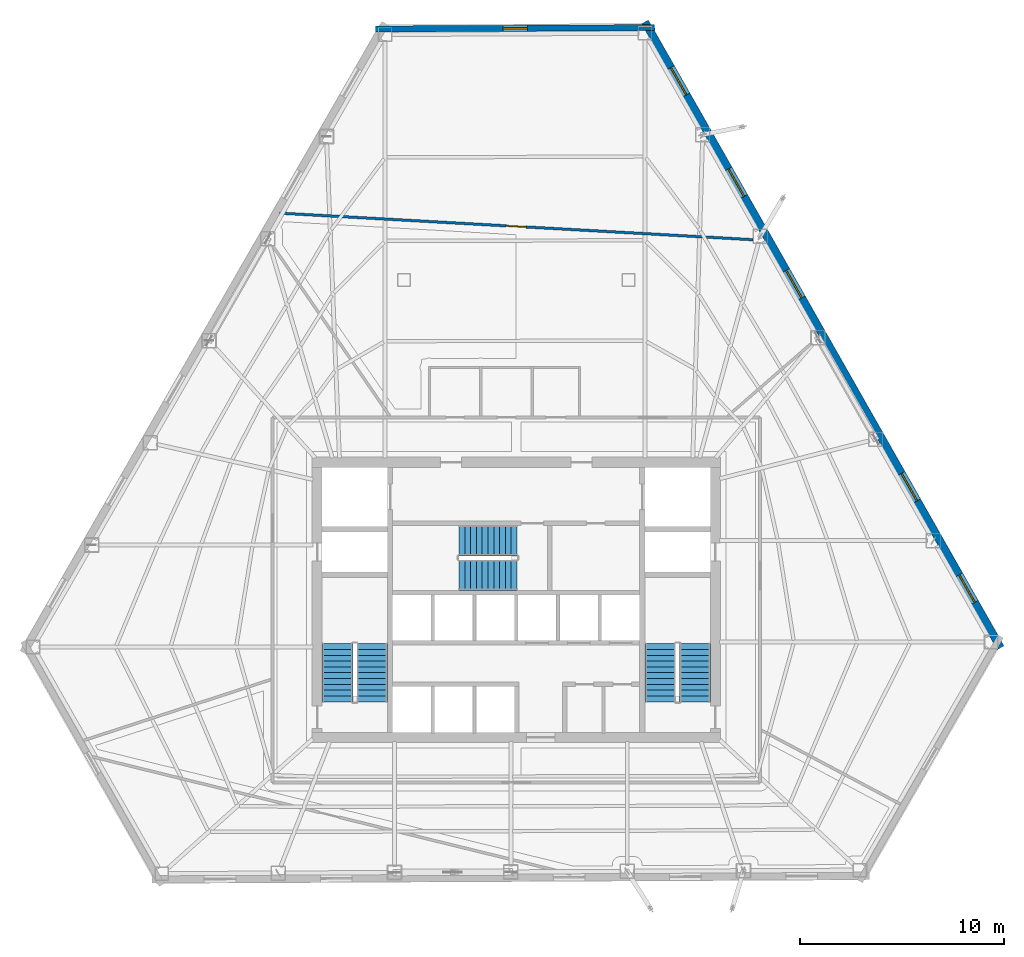
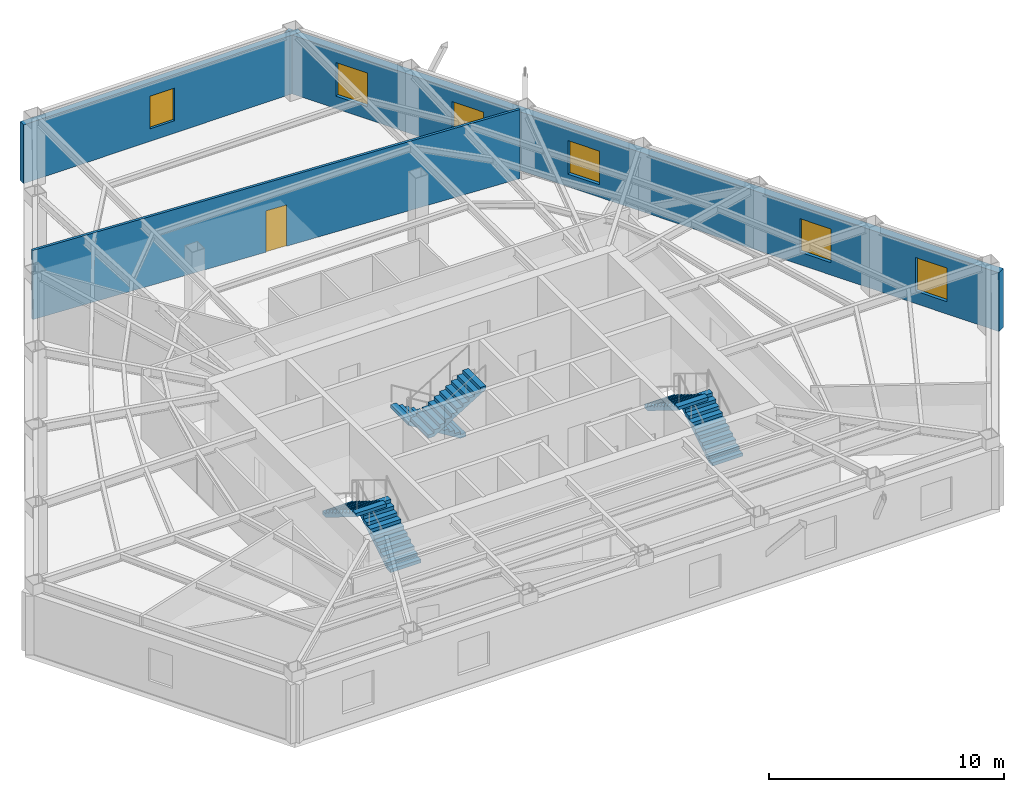
# One storey, part 10 of 13: 6 stair flights, 6 windows, 3 walls, 1 door, 7 openings, 3 elements without a shape of their own.
"""IFC4 building model written with IfcOpenShell, lengths in metres."""

from ifc_helpers import new_model, si_unit, direction, frame, frame_2d, origin, place, context, subcontext, project, spatial, polyline, rectangle, outline, extrude, material, layer, layer_set, type_object, element, fill, aggregate, save


model = new_model("IFC4")

# Units and contexts
model_context = context("Model", 3, precision=1e-05, world=origin(), true_north=direction((0.0, 1.0)))
body_context = subcontext(model_context, "Body", "Model", "MODEL_VIEW")
ifc_project = project(units=[si_unit("LENGTHUNIT", "METRE"), si_unit("AREAUNIT", "SQUARE_METRE"), si_unit("VOLUMEUNIT", "CUBIC_METRE"), si_unit("PLANEANGLEUNIT", "RADIAN"), si_unit("MASSUNIT", "GRAM", prefix="KILO")], contexts=[model_context])

# Site, building, storey
site_placement = place(None, origin())
site = spatial("IfcSite", under=ifc_project, at=site_placement, CompositionType="ELEMENT")
building_placement = place(site_placement, origin())
building = spatial("IfcBuilding", under=site, at=building_placement, Name="Kavelnor Concourse Tower", CompositionType="ELEMENT")
storey_placement = place(building_placement, frame((0.0, 0.0, 85.5)))
storey = spatial("IfcBuildingStorey", under=building, at=storey_placement, Name="L21", CompositionType="ELEMENT", Elevation=85.5)

# Wall, opening, window
ifc_material_1 = material(Name="Buff ironspot clay face brick masonry", Category="masonry")
ifc_layer_1 = layer(ifc_material_1, 0.300048828125, Name="Buff ironspot clay face brick masonry")
ifc_layer_set_1 = layer_set([ifc_layer_1], Name="Buff ironspot clay face brick masonry")
wall_type_1 = type_object("IfcWallType", Name="WL-EXT-BUFF-BRICK-FOLD-300", PredefinedType="STANDARD", material=ifc_layer_set_1)
wall_1_placement = place(storey_placement, frame((31.091064453125, 44.110107421875, 0.0), z_axis=(0.0, 0.0, 1.0), x_axis=(0.999987649418, 0.004970011297, 0.0)))
wall_1 = element("IfcWall", 1, at=wall_1_placement, inside=storey, type_object=wall_type_1, Name="L21 Exterior Brick Facade Wall E0", PredefinedType="STANDARD", context=body_context, shape_type="SweptSolid", body=[
    extrude(rectangle(XDim=13.705322265625, YDim=0.300048828125, at=frame_2d((6.8525390625, 0.0))), origin(), (0.0, 0.0, 1.0), 3.05908203125),
])
opening_1_placement = place(wall_1_placement, frame((6.252685546875, 0.0, 0.64990234375)))
opening_1 = element("IfcOpeningElement", 2, at=opening_1_placement, cuts=wall_1, Name="Opening W-05", PredefinedType="OPENING", context=body_context, shape_type="SweptSolid", body=[
    extrude(rectangle(XDim=1.199951171875, YDim=1.699951171875, at=frame_2d((0.60009765625, 0.85009765625))), frame((0.0, 0.16015625, 0.0), z_axis=(0.0, -1.0, 0.0), x_axis=(1.0, 0.0, 0.0)), (0.0, 0.0, 1.0), 0.320068359375),
])
ifc_material_2 = material(Name="Double low-E argon insulated glazing", Category="glass")
window_type_1 = type_object("IfcWindowType", Name="WIN-FOLD-1200", PartitioningType="SINGLE_PANEL", PredefinedType="WINDOW", material=ifc_material_2)
window_1_placement = place(opening_1_placement, origin())
window_1 = element("IfcWindow", 3, at=window_1_placement, inside=storey, type_object=window_type_1, Name="L21 Chamfer-Fold Facet Window C0", OverallHeight=1.699951171875, OverallWidth=1.199951171875, PartitioningType="SINGLE_PANEL", PredefinedType="WINDOW", context=body_context, shape_type="SweptSolid", body=[
    extrude(rectangle(XDim=1.199951171875, YDim=1.699951171875, at=frame_2d((0.60009765625, 0.85009765625))), frame((0.0, 0.030029296875, 0.0), z_axis=(0.0, -1.0, 0.0), x_axis=(1.0, 0.0, 0.0)), (0.0, 0.0, 1.0), 0.06005859375),
])
fill(opening_1, window_1)

# Wall, openings, windows
ifc_material_3 = material(Name="Red-ochre clay face brick masonry", Category="masonry")
ifc_layer_2 = layer(ifc_material_3, 0.3798828125, Name="Red-ochre clay face brick masonry")
ifc_layer_set_2 = layer_set([ifc_layer_2], Name="Red-ochre clay face brick masonry")
wall_type_2 = type_object("IfcWallType", Name="WL-EXT-RED-BRICK-PIER-380", PredefinedType="STANDARD", material=ifc_layer_set_2)
wall_2_placement = place(storey_placement, frame((44.313720703125, 44.45751953125, 0.0), z_axis=(0.0, 0.0, 1.0), x_axis=(0.494118179016, -0.869394746456, 0.0)))
wall_2 = element("IfcWall", 4, at=wall_2_placement, inside=storey, type_object=wall_type_2, Name="L21 Exterior Brick Facade Wall E5", PredefinedType="STANDARD", context=body_context, shape_type="SweptSolid", body=[
    extrude(rectangle(XDim=35.322265625, YDim=0.3798828125, at=frame_2d((17.6611328125, 0.0))), origin(), (0.0, 0.0, 1.0), 3.05908203125),
])
opening_2_placement = place(wall_2_placement, frame((31.208984375, 0.0, 0.64990234375)))
opening_2 = element("IfcOpeningElement", 5, at=opening_2_placement, cuts=wall_2, Name="Opening W-02", PredefinedType="OPENING", context=body_context, shape_type="SweptSolid", body=[
    extrude(rectangle(XDim=1.550048828125, YDim=1.75, at=frame_2d((0.77490234375, 0.875))), frame((0.0, 0.199951171875, 0.0), z_axis=(0.0, -1.0, 0.0), x_axis=(1.0, 0.0, 0.0)), (0.0, 0.0, 1.0), 0.39990234375),
])
opening_3_placement = place(wall_2_placement, frame((25.48095703125, 0.0, 0.64990234375)))
opening_3 = element("IfcOpeningElement", 6, at=opening_3_placement, cuts=wall_2, Name="Opening W-02", PredefinedType="OPENING", context=body_context, shape_type="SweptSolid", body=[
    extrude(rectangle(XDim=1.550048828125, YDim=1.75, at=frame_2d((0.77490234375, 0.875))), frame((0.0, 0.199951171875, 0.0), z_axis=(0.0, -1.0, 0.0), x_axis=(1.0, 0.0, 0.0)), (0.0, 0.0, 1.0), 0.39990234375),
])
opening_4_placement = place(wall_2_placement, frame((14.025390625, 0.0, 0.64990234375)))
opening_4 = element("IfcOpeningElement", 7, at=opening_4_placement, cuts=wall_2, Name="Opening W-02", PredefinedType="OPENING", context=body_context, shape_type="SweptSolid", body=[
    extrude(rectangle(XDim=1.550048828125, YDim=1.75, at=frame_2d((0.77490234375, 0.875))), frame((0.0, 0.199951171875, 0.0), z_axis=(0.0, -1.0, 0.0), x_axis=(1.0, 0.0, 0.0)), (0.0, 0.0, 1.0), 0.39990234375),
])
opening_5_placement = place(wall_2_placement, frame((8.297607421875, 0.0, 0.64990234375)))
opening_5 = element("IfcOpeningElement", 8, at=opening_5_placement, cuts=wall_2, Name="Opening W-02", PredefinedType="OPENING", context=body_context, shape_type="SweptSolid", body=[
    extrude(rectangle(XDim=1.550048828125, YDim=1.75, at=frame_2d((0.77490234375, 0.875))), frame((0.0, 0.199951171875, 0.0), z_axis=(0.0, -1.0, 0.0), x_axis=(1.0, 0.0, 0.0)), (0.0, 0.0, 1.0), 0.39990234375),
])
opening_6_placement = place(wall_2_placement, frame((2.56982421875, 0.0, 0.64990234375)))
opening_6 = element("IfcOpeningElement", 9, at=opening_6_placement, cuts=wall_2, Name="Opening W-02", PredefinedType="OPENING", context=body_context, shape_type="SweptSolid", body=[
    extrude(rectangle(XDim=1.550048828125, YDim=1.75, at=frame_2d((0.77490234375, 0.875))), frame((0.0, 0.199951171875, 0.0), z_axis=(0.0, -1.0, 0.0), x_axis=(1.0, 0.0, 0.0)), (0.0, 0.0, 1.0), 0.39990234375),
])
window_type_2 = type_object("IfcWindowType", Name="WIN-PIER-Z2-1650", PartitioningType="SINGLE_PANEL", PredefinedType="WINDOW", material=ifc_material_2)
window_2_placement = place(opening_2_placement, origin())
window_2 = element("IfcWindow", 10, at=window_2_placement, inside=storey, type_object=window_type_2, Name="L21 Deep-Set Brick Pier Window F2-B0", OverallHeight=1.75, OverallWidth=1.550048828125, PartitioningType="SINGLE_PANEL", PredefinedType="WINDOW", context=body_context, shape_type="SweptSolid", body=[
    extrude(rectangle(XDim=1.550048828125, YDim=1.75, at=frame_2d((0.77490234375, 0.875))), frame((0.0, 0.030029296875, 0.0), z_axis=(0.0, -1.0, 0.0), x_axis=(1.0, 0.0, 0.0)), (0.0, 0.0, 1.0), 0.06005859375),
])
fill(opening_2, window_2)
window_3_placement = place(opening_3_placement, origin())
window_3 = element("IfcWindow", 11, at=window_3_placement, inside=storey, type_object=window_type_2, Name="L21 Deep-Set Brick Pier Window F2-B1", OverallHeight=1.75, OverallWidth=1.550048828125, PartitioningType="SINGLE_PANEL", PredefinedType="WINDOW", context=body_context, shape_type="SweptSolid", body=[
    extrude(rectangle(XDim=1.550048828125, YDim=1.75, at=frame_2d((0.77490234375, 0.875))), frame((0.0, 0.030029296875, 0.0), z_axis=(0.0, -1.0, 0.0), x_axis=(1.0, 0.0, 0.0)), (0.0, 0.0, 1.0), 0.06005859375),
])
fill(opening_3, window_3)
window_4_placement = place(opening_4_placement, origin())
window_4 = element("IfcWindow", 12, at=window_4_placement, inside=storey, type_object=window_type_2, Name="L21 Deep-Set Brick Pier Window F2-B3", OverallHeight=1.75, OverallWidth=1.550048828125, PartitioningType="SINGLE_PANEL", PredefinedType="WINDOW", context=body_context, shape_type="SweptSolid", body=[
    extrude(rectangle(XDim=1.550048828125, YDim=1.75, at=frame_2d((0.77490234375, 0.875))), frame((0.0, 0.030029296875, 0.0), z_axis=(0.0, -1.0, 0.0), x_axis=(1.0, 0.0, 0.0)), (0.0, 0.0, 1.0), 0.06005859375),
])
fill(opening_4, window_4)
window_5_placement = place(opening_5_placement, origin())
window_5 = element("IfcWindow", 13, at=window_5_placement, inside=storey, type_object=window_type_2, Name="L21 Deep-Set Brick Pier Window F2-B4", OverallHeight=1.75, OverallWidth=1.550048828125, PartitioningType="SINGLE_PANEL", PredefinedType="WINDOW", context=body_context, shape_type="SweptSolid", body=[
    extrude(rectangle(XDim=1.550048828125, YDim=1.75, at=frame_2d((0.77490234375, 0.875))), frame((0.0, 0.030029296875, 0.0), z_axis=(0.0, -1.0, 0.0), x_axis=(1.0, 0.0, 0.0)), (0.0, 0.0, 1.0), 0.06005859375),
])
fill(opening_5, window_5)
window_6_placement = place(opening_6_placement, origin())
window_6 = element("IfcWindow", 14, at=window_6_placement, inside=storey, type_object=window_type_2, Name="L21 Deep-Set Brick Pier Window F2-B5", OverallHeight=1.75, OverallWidth=1.550048828125, PartitioningType="SINGLE_PANEL", PredefinedType="WINDOW", context=body_context, shape_type="SweptSolid", body=[
    extrude(rectangle(XDim=1.550048828125, YDim=1.75, at=frame_2d((0.77490234375, 0.875))), frame((0.0, 0.030029296875, 0.0), z_axis=(0.0, -1.0, 0.0), x_axis=(1.0, 0.0, 0.0)), (0.0, 0.0, 1.0), 0.06005859375),
])
fill(opening_6, window_6)

# Wall, opening, door
ifc_material_4 = material(Name="Gypsum plasterboard on light-gauge steel studs", Category="steel")
ifc_layer_3 = layer(ifc_material_4, 0.125, Name="Gypsum plasterboard on light-gauge steel studs")
ifc_layer_set_3 = layer_set([ifc_layer_3], Name="Gypsum plasterboard on light-gauge steel studs")
wall_type_3 = type_object("IfcWallType", Name="WL-INT-SUITE-125", PredefinedType="PARTITIONING", material=ifc_layer_set_3)
wall_3_placement = place(storey_placement, frame((49.60888671875, 33.771240234375, 0.0), z_axis=(0.0, 0.0, 1.0), x_axis=(-0.998425040952, 0.056102028483, 0.0)))
wall_3 = element("IfcWall", 15, at=wall_3_placement, inside=storey, type_object=wall_type_3, Name="L21 Suite Subdivision Partition 02", PredefinedType="PARTITIONING", context=body_context, shape_type="SweptSolid", body=[
    extrude(rectangle(XDim=23.255615234375, YDim=0.125, at=frame_2d((11.6279296875, 0.0))), origin(), (0.0, 0.0, 1.0), 3.60009765625),
])
opening_7_placement = place(wall_3_placement, frame((11.1376953125, 0.0, 0.0)))
opening_7 = element("IfcOpeningElement", 16, at=opening_7_placement, cuts=wall_3, Name="Opening OD-098", PredefinedType="OPENING", context=body_context, shape_type="SweptSolid", body=[
    extrude(rectangle(XDim=0.97998046875, YDim=2.14990234375, at=frame_2d((0.489990234375, 1.074951171875))), frame((0.0, 0.072509765625, 0.0), z_axis=(0.0, -1.0, 0.0), x_axis=(1.0, 0.0, 0.0)), (0.0, 0.0, 1.0), 0.14501953125),
])
ifc_material_5 = material(Name="Solid-core hardwood timber", Category="wood")
door_type = type_object("IfcDoorType", Name="DR-OFFICE-980", OperationType="NOTDEFINED", PredefinedType="DOOR", material=ifc_material_5)
door_placement = place(opening_7_placement, origin())
door = element("IfcDoor", 17, at=door_placement, inside=storey, type_object=door_type, Name="L21 Executive Dining Room 03 Door", OperationType="SINGLE_SWING_LEFT", OverallHeight=2.14990234375, OverallWidth=0.97998046875, PredefinedType="DOOR", context=body_context, shape_type="SweptSolid", body=[
    extrude(rectangle(XDim=0.97998046875, YDim=2.14990234375, at=frame_2d((0.489990234375, 1.074951171875))), frame((0.0, 0.02490234375, 0.0), z_axis=(0.0, -1.0, 0.0), x_axis=(1.0, 0.0, 0.0)), (0.0, 0.0, 1.0), 0.050048828125),
])
fill(opening_7, door)

# Stair, stair flights
ifc_material_6 = material(Name="Concrete C40/50", Category="concrete")
stair_type = type_object("IfcStairType", Name="STR-CORE-1500", PredefinedType="HALF_TURN_STAIR", material=ifc_material_6)
stair_1_placement = place(storey_placement, origin())
stair_1 = element("IfcStair", 18, at=stair_1_placement, inside=storey, type_object=stair_type, Name="L21 ST1", PredefinedType="HALF_TURN_STAIR")
stair_flight_type = type_object("IfcStairFlightType", Name="STR-FLIGHT-1500", PredefinedType="STRAIGHT", material=ifc_material_6)
stair_flight_1_placement = place(storey_placement, frame((30.929931640625, 11.10009765625, 0.0), z_axis=(0.0, 0.0, 1.0), x_axis=(0.0, 1.0, 0.0)))
stair_flight_1 = element("IfcStairFlight", 19, at=stair_flight_1_placement, type_object=stair_flight_type, Name="ST1 flight 1", NumberOfRisers=11, NumberOfTreads=10, PredefinedType="STRAIGHT", RiserHeight=0.175, TreadLength=0.285, context=body_context, shape_type="SweptSolid", body=[
    extrude(outline(polyline([(0.0, 0.0), (0.0, 0.175048828125), (0.284912109375, 0.175048828125), (0.284912109375, 0.35009765625), (0.570068359375, 0.35009765625), (0.570068359375, 0.52490234375), (0.85498046875, 0.52490234375), (0.85498046875, 0.699951171875), (1.139892578125, 0.699951171875), (1.139892578125, 0.875), (1.425048828125, 0.875), (1.425048828125, 1.050048828125), (1.7099609375, 1.050048828125), (1.7099609375, 1.22509765625), (1.9951171875, 1.22509765625), (1.9951171875, 1.39990234375), (2.280029296875, 1.39990234375), (2.280029296875, 1.574951171875), (2.56494140625, 1.574951171875), (2.56494140625, 1.75), (2.85009765625, 1.75), (2.85009765625, 1.925048828125), (2.85009765625, 1.573974609375), (0.286376953125, 0.0), (0.0, 0.0)])), frame((0.0, 0.75, 0.0), z_axis=(0.0, -1.0, 0.0), x_axis=(1.0, 0.0, 0.0)), (0.0, 0.0, 1.0), 1.5),
])
stair_flight_2_placement = place(storey_placement, frame((29.22998046875, 13.949951171875, 1.925048828125), z_axis=(0.0, 0.0, 1.0), x_axis=(0.0, -1.0, 0.0)))
stair_flight_2 = element("IfcStairFlight", 20, at=stair_flight_2_placement, type_object=stair_flight_type, Name="ST1 flight 2", NumberOfRisers=11, NumberOfTreads=10, PredefinedType="STRAIGHT", RiserHeight=0.175, TreadLength=0.285, context=body_context, shape_type="SweptSolid", body=[
    extrude(outline(polyline([(0.0, 0.0), (0.0, 0.175048828125), (0.284912109375, 0.175048828125), (0.284912109375, 0.35009765625), (0.570068359375, 0.35009765625), (0.570068359375, 0.52490234375), (0.85498046875, 0.52490234375), (0.85498046875, 0.699951171875), (1.139892578125, 0.699951171875), (1.139892578125, 0.875), (1.425048828125, 0.875), (1.425048828125, 1.050048828125), (1.7099609375, 1.050048828125), (1.7099609375, 1.22509765625), (1.9951171875, 1.22509765625), (1.9951171875, 1.39990234375), (2.280029296875, 1.39990234375), (2.280029296875, 1.574951171875), (2.56494140625, 1.574951171875), (2.56494140625, 1.75), (2.85009765625, 1.75), (2.85009765625, 1.925048828125), (2.85009765625, 1.573974609375), (0.286376953125, 0.0), (0.0, 0.0)])), frame((0.0, 0.75, 0.0), z_axis=(0.0, -1.0, 0.0), x_axis=(1.0, 0.0, 0.0)), (0.0, 0.0, 1.0), 1.5),
])
aggregate(stair_1, [stair_flight_1, stair_flight_2])

stair_2_placement = place(storey_placement, origin())
stair_2 = element("IfcStair", 21, at=stair_2_placement, inside=storey, type_object=stair_type, Name="L21 ST2", PredefinedType="HALF_TURN_STAIR")
stair_flight_3_placement = place(storey_placement, frame((46.77001953125, 11.10009765625, 0.0), z_axis=(0.0, 0.0, 1.0), x_axis=(0.0, 1.0, 0.0)))
stair_flight_3 = element("IfcStairFlight", 22, at=stair_flight_3_placement, type_object=stair_flight_type, Name="ST2 flight 1", NumberOfRisers=11, NumberOfTreads=10, PredefinedType="STRAIGHT", RiserHeight=0.175, TreadLength=0.285, context=body_context, shape_type="SweptSolid", body=[
    extrude(outline(polyline([(0.0, 0.0), (0.0, 0.175048828125), (0.284912109375, 0.175048828125), (0.284912109375, 0.35009765625), (0.570068359375, 0.35009765625), (0.570068359375, 0.52490234375), (0.85498046875, 0.52490234375), (0.85498046875, 0.699951171875), (1.139892578125, 0.699951171875), (1.139892578125, 0.875), (1.425048828125, 0.875), (1.425048828125, 1.050048828125), (1.7099609375, 1.050048828125), (1.7099609375, 1.22509765625), (1.9951171875, 1.22509765625), (1.9951171875, 1.39990234375), (2.280029296875, 1.39990234375), (2.280029296875, 1.574951171875), (2.56494140625, 1.574951171875), (2.56494140625, 1.75), (2.85009765625, 1.75), (2.85009765625, 1.925048828125), (2.85009765625, 1.573974609375), (0.286376953125, 0.0), (0.0, 0.0)])), frame((0.0, 0.75, 0.0), z_axis=(0.0, -1.0, 0.0), x_axis=(1.0, 0.0, 0.0)), (0.0, 0.0, 1.0), 1.5),
])
stair_flight_4_placement = place(storey_placement, frame((45.070068359375, 13.949951171875, 1.925048828125), z_axis=(0.0, 0.0, 1.0), x_axis=(0.0, -1.0, 0.0)))
stair_flight_4 = element("IfcStairFlight", 23, at=stair_flight_4_placement, type_object=stair_flight_type, Name="ST2 flight 2", NumberOfRisers=11, NumberOfTreads=10, PredefinedType="STRAIGHT", RiserHeight=0.175, TreadLength=0.285, context=body_context, shape_type="SweptSolid", body=[
    extrude(outline(polyline([(0.0, 0.0), (0.0, 0.175048828125), (0.284912109375, 0.175048828125), (0.284912109375, 0.35009765625), (0.570068359375, 0.35009765625), (0.570068359375, 0.52490234375), (0.85498046875, 0.52490234375), (0.85498046875, 0.699951171875), (1.139892578125, 0.699951171875), (1.139892578125, 0.875), (1.425048828125, 0.875), (1.425048828125, 1.050048828125), (1.7099609375, 1.050048828125), (1.7099609375, 1.22509765625), (1.9951171875, 1.22509765625), (1.9951171875, 1.39990234375), (2.280029296875, 1.39990234375), (2.280029296875, 1.574951171875), (2.56494140625, 1.574951171875), (2.56494140625, 1.75), (2.85009765625, 1.75), (2.85009765625, 1.925048828125), (2.85009765625, 1.573974609375), (0.286376953125, 0.0), (0.0, 0.0)])), frame((0.0, 0.75, 0.0), z_axis=(0.0, -1.0, 0.0), x_axis=(1.0, 0.0, 0.0)), (0.0, 0.0, 1.0), 1.5),
])
aggregate(stair_2, [stair_flight_3, stair_flight_4])

stair_3_placement = place(storey_placement, origin())
stair_3 = element("IfcStair", 24, at=stair_3_placement, inside=storey, type_object=stair_type, Name="L21 ST3", PredefinedType="HALF_TURN_STAIR")
stair_flight_5_placement = place(storey_placement, frame((38.0400390625, 19.010009765625, 0.0), z_axis=(0.0, 0.0, 1.0), x_axis=(-1.0, 0.0, 0.0)))
stair_flight_5 = element("IfcStairFlight", 25, at=stair_flight_5_placement, type_object=stair_flight_type, Name="ST3 flight 1", NumberOfRisers=11, NumberOfTreads=10, PredefinedType="STRAIGHT", RiserHeight=0.175, TreadLength=0.285, context=body_context, shape_type="SweptSolid", body=[
    extrude(outline(polyline([(0.0, 0.0), (0.0, 0.175048828125), (0.284912109375, 0.175048828125), (0.284912109375, 0.35009765625), (0.570068359375, 0.35009765625), (0.570068359375, 0.52490234375), (0.85498046875, 0.52490234375), (0.85498046875, 0.699951171875), (1.139892578125, 0.699951171875), (1.139892578125, 0.875), (1.425048828125, 0.875), (1.425048828125, 1.050048828125), (1.7099609375, 1.050048828125), (1.7099609375, 1.22509765625), (1.9951171875, 1.22509765625), (1.9951171875, 1.39990234375), (2.280029296875, 1.39990234375), (2.280029296875, 1.574951171875), (2.56494140625, 1.574951171875), (2.56494140625, 1.75), (2.85009765625, 1.75), (2.85009765625, 1.925048828125), (2.85009765625, 1.573974609375), (0.286376953125, 0.0), (0.0, 0.0)])), frame((0.0, 0.75, 0.0), z_axis=(0.0, -1.0, 0.0), x_axis=(1.0, 0.0, 0.0)), (0.0, 0.0, 1.0), 1.5),
])
stair_flight_6_placement = place(storey_placement, frame((35.18994140625, 17.31005859375, 1.925048828125), z_axis=(0.0, 0.0, 1.0), x_axis=(1.0, 0.0, 0.0)))
stair_flight_6 = element("IfcStairFlight", 26, at=stair_flight_6_placement, type_object=stair_flight_type, Name="ST3 flight 2", NumberOfRisers=11, NumberOfTreads=10, PredefinedType="STRAIGHT", RiserHeight=0.175, TreadLength=0.285, context=body_context, shape_type="SweptSolid", body=[
    extrude(outline(polyline([(0.0, 0.0), (0.0, 0.175048828125), (0.284912109375, 0.175048828125), (0.284912109375, 0.35009765625), (0.570068359375, 0.35009765625), (0.570068359375, 0.52490234375), (0.85498046875, 0.52490234375), (0.85498046875, 0.699951171875), (1.139892578125, 0.699951171875), (1.139892578125, 0.875), (1.425048828125, 0.875), (1.425048828125, 1.050048828125), (1.7099609375, 1.050048828125), (1.7099609375, 1.22509765625), (1.9951171875, 1.22509765625), (1.9951171875, 1.39990234375), (2.280029296875, 1.39990234375), (2.280029296875, 1.574951171875), (2.56494140625, 1.574951171875), (2.56494140625, 1.75), (2.85009765625, 1.75), (2.85009765625, 1.925048828125), (2.85009765625, 1.573974609375), (0.286376953125, 0.0), (0.0, 0.0)])), frame((0.0, 0.75, 0.0), z_axis=(0.0, -1.0, 0.0), x_axis=(1.0, 0.0, 0.0)), (0.0, 0.0, 1.0), 1.5),
])
aggregate(stair_3, [stair_flight_5, stair_flight_6])

save(model, "model.ifc")
